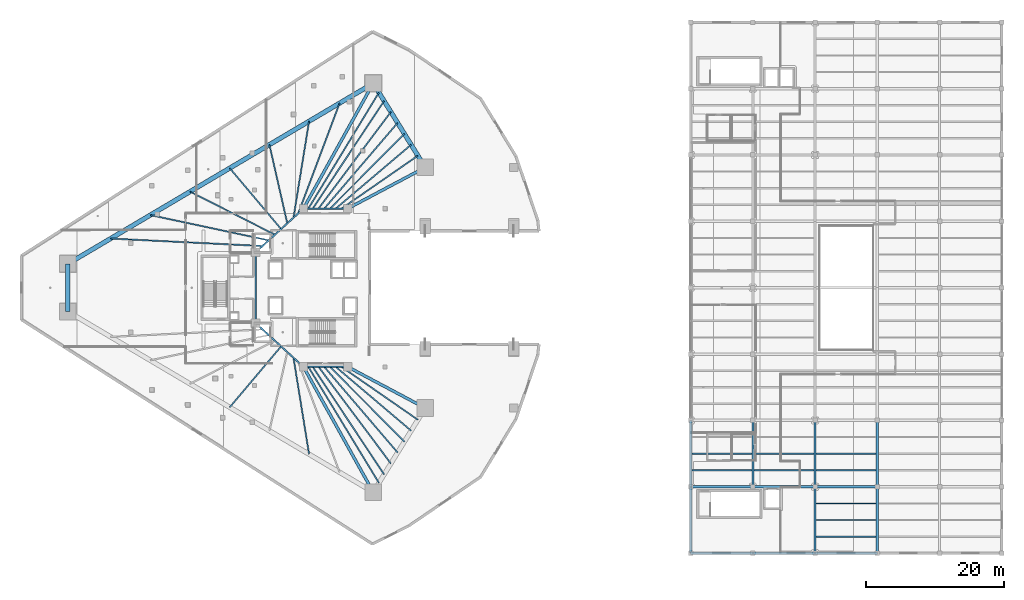
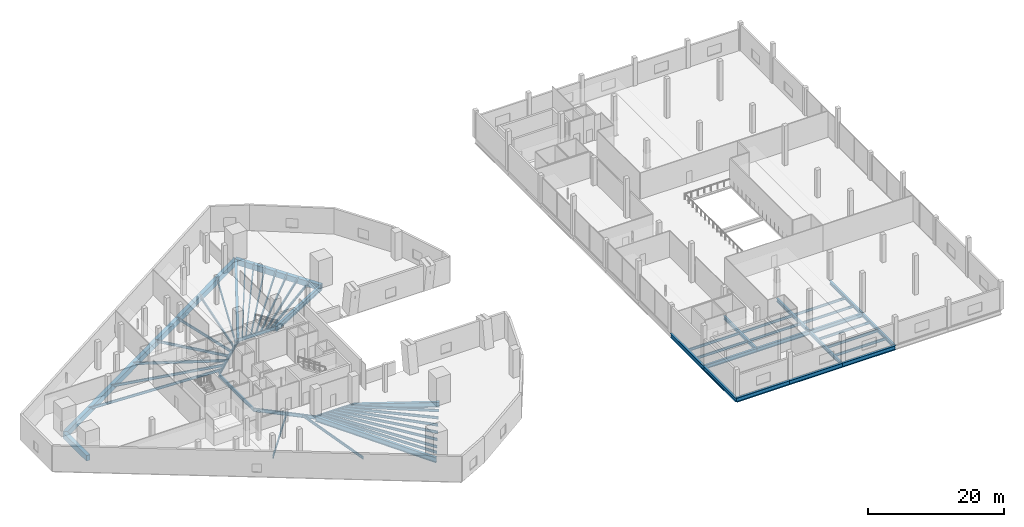
# One storey, part 2 of 43: 57 beams.
"""IFC4 building model written with IfcOpenShell, lengths in metres."""

from ifc_helpers import new_model, si_unit, direction, frame, origin, origin_2d, place, context, subcontext, project, spatial, rectangle, i_section, extrude, material, material_profile, profile_set, type_object, element, save


model = new_model("IFC4")

# Units and contexts
model_context = context("Model", 3, precision=1e-05, world=origin(), true_north=direction((0.0, 1.0)))
body_context = subcontext(model_context, "Body", "Model", "MODEL_VIEW")
ifc_project = project(units=[si_unit("LENGTHUNIT", "METRE"), si_unit("AREAUNIT", "SQUARE_METRE"), si_unit("VOLUMEUNIT", "CUBIC_METRE"), si_unit("PLANEANGLEUNIT", "RADIAN"), si_unit("MASSUNIT", "GRAM", prefix="KILO")], contexts=[model_context])

# Site, building, storey
site_placement = place(None, origin())
site = spatial("IfcSite", under=ifc_project, at=site_placement, CompositionType="ELEMENT")
building_placement = place(site_placement, origin())
building = spatial("IfcBuilding", under=site, at=building_placement, Name="Qorvath Tower", CompositionType="ELEMENT")
storey_placement = place(building_placement, frame((0.0, 0.0, 22.0)))
storey = spatial("IfcBuildingStorey", under=building, at=storey_placement, Name="L04", CompositionType="ELEMENT", Elevation=22.0)

# Beams
ifc_material_1 = material(Name="Steel ASTM A992 Grade 50", Category="steel")
ifc_material_profile_1 = material_profile(ifc_material_1, i_section(OverallWidth=0.422119140625, OverallDepth=0.93310546875, WebThickness=0.021240234375, FlangeThickness=0.039794921875, FilletRadius=0.02392578125, at=origin_2d()), Name="W36x262")
ifc_profile_set_1 = profile_set([ifc_material_profile_1], Name="Steel ASTM A992 Grade 50")
beam_type_1 = type_object("IfcBeamType", Name="BM-FG1", PredefinedType="BEAM", material=ifc_profile_set_1)
beam_1_placement = place(storey_placement, frame((-23.60009765625, 11.449951171875, -0.7265625), z_axis=(0.486174725137, 0.873861623278, 0.0), x_axis=(-0.873861623278, 0.486174725137, 0.0)))
element("IfcBeam", 1, at=beam_1_placement, inside=storey, type_object=beam_type_1, Name="Radial Floor Girder CC1-MC6 L04", PredefinedType="BEAM", context=body_context, shape_type="SweptSolid", body=[
    extrude(i_section(OverallWidth=0.422119140625, OverallDepth=0.93310546875, WebThickness=0.021240234375, FlangeThickness=0.039794921875, FilletRadius=0.02392578125, at=origin_2d()), origin(), (0.0, 0.0, 1.0), 20.7333984375),
])
for number, where, z_axis, x_axis, name in (
    (2, (-17.199951171875, 11.449951171875, -0.7265625), (0.883116467191, 0.469153818461, 0.0), (-0.469153818461, 0.883116467191, 0.0), "Radial Floor Girder CC2-MC5 L04"),
    (3, (-17.199951171875, -11.449951171875, -0.7265625), (0.883116467191, -0.469153818461, 0.0), (0.469153818461, 0.883116467191, 0.0), "Radial Floor Girder CC3-MC4 L04"),
):
    element("IfcBeam", number, at=place(storey_placement, frame(where, z_axis=z_axis, x_axis=x_axis)), inside=storey, type_object=beam_type_1, Name=name, PredefinedType="BEAM", context=body_context, shape_type="SweptSolid", body=[
        extrude(i_section(OverallWidth=0.422119140625, OverallDepth=0.93310546875, WebThickness=0.021240234375, FlangeThickness=0.039794921875, FilletRadius=0.02392578125, at=origin_2d()), origin(), (0.0, 0.0, 1.0), 12.682373046875),
    ])
beam_2_placement = place(storey_placement, frame((-23.60009765625, -11.449951171875, -0.7265625), z_axis=(0.486174725137, -0.873861623278, 0.0), x_axis=(0.873861623278, 0.486174725137, 0.0)))
element("IfcBeam", 4, at=beam_2_placement, inside=storey, type_object=beam_type_1, Name="Radial Floor Girder CC4-MC3 L04", PredefinedType="BEAM", context=body_context, shape_type="SweptSolid", body=[
    extrude(i_section(OverallWidth=0.422119140625, OverallDepth=0.93310546875, WebThickness=0.021240234375, FlangeThickness=0.039794921875, FilletRadius=0.02392578125, at=origin_2d()), origin(), (0.0, 0.0, 1.0), 20.7333984375),
])
ifc_material_2 = material(Name="Steel ASTM A992 Grade 50", Category="steel")
ifc_material_profile_2 = material_profile(ifc_material_2, i_section(OverallWidth=0.381103515625, OverallDepth=0.77294921875, WebThickness=0.0166015625, FlangeThickness=0.027099609375, FilletRadius=0.01904296875, at=origin_2d()), Name="W30x173")
ifc_profile_set_2 = profile_set([ifc_material_profile_2], Name="Steel ASTM A992 Grade 50")
beam_type_2 = type_object("IfcBeamType", Name="BM-FG3", PredefinedType="BEAM", material=ifc_profile_set_2)
for number, where, z_axis, x_axis, name in (
    (5, (32.39990234375, -38.39990234375, -0.646484375), (1.0, 0.0, 0.0), (0.0, 1.0, 0.0), "Library E-W Girder L04-1-1"),
    (6, (41.39990234375, -38.39990234375, -0.646484375), (1.0, 0.0, 0.0), (0.0, 1.0, 0.0), "Library E-W Girder L04-1-2"),
    (7, (50.39990234375, -38.39990234375, -0.646484375), (1.0, 0.0, 0.0), (0.0, 1.0, 0.0), "Library E-W Girder L04-1-3"),
):
    element("IfcBeam", number, at=place(storey_placement, frame(where, z_axis=z_axis, x_axis=x_axis)), inside=storey, type_object=beam_type_2, Name=name, PredefinedType="BEAM", context=body_context, shape_type="SweptSolid", body=[
        extrude(i_section(OverallWidth=0.381103515625, OverallDepth=0.77294921875, WebThickness=0.0166015625, FlangeThickness=0.027099609375, FilletRadius=0.01904296875, at=origin_2d()), origin(), (0.0, 0.0, 1.0), 9.0),
    ])
beam_3_placement = place(storey_placement, frame((32.39990234375, -38.39990234375, -0.646484375), z_axis=(0.0, 1.0, 0.0), x_axis=(-1.0, 0.0, 0.0)))
element("IfcBeam", 8, at=beam_3_placement, inside=storey, type_object=beam_type_2, Name="Library N-S Girder L04-1-1", PredefinedType="BEAM", context=body_context, shape_type="SweptSolid", body=[
    extrude(i_section(OverallWidth=0.381103515625, OverallDepth=0.77294921875, WebThickness=0.0166015625, FlangeThickness=0.027099609375, FilletRadius=0.01904296875, at=origin_2d()), origin(), (0.0, 0.0, 1.0), 9.599853515625),
])
beam_4_placement = place(storey_placement, frame((32.39990234375, -28.800048828125, -0.646484375), z_axis=(0.0, 1.0, 0.0), x_axis=(-1.0, 0.0, 0.0)))
element("IfcBeam", 9, at=beam_4_placement, inside=storey, type_object=beam_type_2, Name="Library N-S Girder L04-1-2", PredefinedType="BEAM", context=body_context, shape_type="SweptSolid", body=[
    extrude(i_section(OverallWidth=0.381103515625, OverallDepth=0.77294921875, WebThickness=0.0166015625, FlangeThickness=0.027099609375, FilletRadius=0.01904296875, at=origin_2d()), origin(), (0.0, 0.0, 1.0), 9.60009765625),
])
ifc_material_3 = material(Name="Steel ASTM A992 Grade 50", Category="steel")
ifc_material_profile_3 = material_profile(ifc_material_3, i_section(OverallWidth=0.35595703125, OverallDepth=0.696044921875, WebThickness=0.015380859375, FlangeThickness=0.02490234375, FilletRadius=0.01806640625, at=origin_2d()), Name="W27x146")
ifc_profile_set_3 = profile_set([ifc_material_profile_3], Name="Steel ASTM A992 Grade 50")
beam_type_3 = type_object("IfcBeamType", Name="BM-FG4", PredefinedType="BEAM", material=ifc_profile_set_3)
for number, where, z_axis, x_axis, name in (
    (10, (32.39990234375, -28.800048828125, -0.60791015625), (1.0, 0.0, 0.0), (0.0, 1.0, 0.0), "Library E-W Girder L04-2-1"),
    (11, (41.39990234375, -28.800048828125, -0.60791015625), (1.0, 0.0, 0.0), (0.0, 1.0, 0.0), "Library E-W Girder L04-2-2"),
    (12, (50.39990234375, -28.800048828125, -0.60791015625), (1.0, 0.0, 0.0), (0.0, 1.0, 0.0), "Library E-W Girder L04-2-3"),
):
    element("IfcBeam", number, at=place(storey_placement, frame(where, z_axis=z_axis, x_axis=x_axis)), inside=storey, type_object=beam_type_3, Name=name, PredefinedType="BEAM", context=body_context, shape_type="SweptSolid", body=[
        extrude(i_section(OverallWidth=0.35595703125, OverallDepth=0.696044921875, WebThickness=0.015380859375, FlangeThickness=0.02490234375, FilletRadius=0.01806640625, at=origin_2d()), origin(), (0.0, 0.0, 1.0), 9.0),
    ])
ifc_material_4 = material(Name="Steel ASTM A992 Grade 50", Category="steel")
ifc_material_profile_4 = material_profile(ifc_material_4, i_section(OverallWidth=0.324951171875, OverallDepth=0.615966796875, WebThickness=0.013916015625, FlangeThickness=0.021484375, FilletRadius=0.01611328125, at=origin_2d()), Name="W24x117")
ifc_profile_set_4 = profile_set([ifc_material_profile_4], Name="Steel ASTM A992 Grade 50")
beam_type_4 = type_object("IfcBeamType", Name="BM-FG5", PredefinedType="BEAM", material=ifc_profile_set_4)
beam_5_placement = place(storey_placement, frame((41.39990234375, -28.800048828125, -0.568115234375), z_axis=(0.0, 1.0, 0.0), x_axis=(-1.0, 0.0, 0.0)))
element("IfcBeam", 13, at=beam_5_placement, inside=storey, type_object=beam_type_4, Name="Library N-S Girder L04-2-2", PredefinedType="BEAM", context=body_context, shape_type="SweptSolid", body=[
    extrude(i_section(OverallWidth=0.324951171875, OverallDepth=0.615966796875, WebThickness=0.013916015625, FlangeThickness=0.021484375, FilletRadius=0.01611328125, at=origin_2d()), origin(), (0.0, 0.0, 1.0), 9.60009765625),
])
beam_6_placement = place(storey_placement, frame((50.39990234375, -38.39990234375, -0.568115234375), z_axis=(0.0, 1.0, 0.0), x_axis=(-1.0, 0.0, 0.0)))
element("IfcBeam", 14, at=beam_6_placement, inside=storey, type_object=beam_type_4, Name="Library N-S Girder L04-3-1", PredefinedType="BEAM", context=body_context, shape_type="SweptSolid", body=[
    extrude(i_section(OverallWidth=0.324951171875, OverallDepth=0.615966796875, WebThickness=0.013916015625, FlangeThickness=0.021484375, FilletRadius=0.01611328125, at=origin_2d()), origin(), (0.0, 0.0, 1.0), 9.599853515625),
])
beam_7_placement = place(storey_placement, frame((50.39990234375, -28.800048828125, -0.568115234375), z_axis=(0.0, 1.0, 0.0), x_axis=(-1.0, 0.0, 0.0)))
element("IfcBeam", 15, at=beam_7_placement, inside=storey, type_object=beam_type_4, Name="Library N-S Girder L04-3-2", PredefinedType="BEAM", context=body_context, shape_type="SweptSolid", body=[
    extrude(i_section(OverallWidth=0.324951171875, OverallDepth=0.615966796875, WebThickness=0.013916015625, FlangeThickness=0.021484375, FilletRadius=0.01611328125, at=origin_2d()), origin(), (0.0, 0.0, 1.0), 9.60009765625),
])
beam_8_placement = place(storey_placement, frame((59.39990234375, -38.39990234375, -0.568115234375), z_axis=(0.0, 1.0, 0.0), x_axis=(-1.0, 0.0, 0.0)))
element("IfcBeam", 16, at=beam_8_placement, inside=storey, type_object=beam_type_4, Name="Library N-S Girder L04-4-1", PredefinedType="BEAM", context=body_context, shape_type="SweptSolid", body=[
    extrude(i_section(OverallWidth=0.324951171875, OverallDepth=0.615966796875, WebThickness=0.013916015625, FlangeThickness=0.021484375, FilletRadius=0.01611328125, at=origin_2d()), origin(), (0.0, 0.0, 1.0), 9.599853515625),
])
beam_9_placement = place(storey_placement, frame((59.39990234375, -28.800048828125, -0.568115234375), z_axis=(0.0, 1.0, 0.0), x_axis=(-1.0, 0.0, 0.0)))
element("IfcBeam", 17, at=beam_9_placement, inside=storey, type_object=beam_type_4, Name="Library N-S Girder L04-4-2", PredefinedType="BEAM", context=body_context, shape_type="SweptSolid", body=[
    extrude(i_section(OverallWidth=0.324951171875, OverallDepth=0.615966796875, WebThickness=0.013916015625, FlangeThickness=0.021484375, FilletRadius=0.01611328125, at=origin_2d()), origin(), (0.0, 0.0, 1.0), 9.60009765625),
])
ifc_material_5 = material(Name="Steel ASTM A992 Grade 50", Category="steel")
ifc_material_profile_5 = material_profile(ifc_material_5, i_section(OverallWidth=0.22998046875, OverallDepth=0.616943359375, WebThickness=0.01318359375, FlangeThickness=0.022216796875, FilletRadius=0.014892578125, at=origin_2d()), Name="W24x94")
ifc_profile_set_5 = profile_set([ifc_material_profile_5], Name="Steel ASTM A992 Grade 50")
beam_type_5 = type_object("IfcBeamType", Name="BM-FG6", PredefinedType="BEAM", material=ifc_profile_set_5)
for number, where, z_axis, x_axis, name in (
    (18, (-23.60009765625, 11.449951171875, -0.568603515625), (1.0, 0.0, 0.0), (0.0, 1.0, 0.0), "Core Ring Girder CC1-CC2 L04"),
    (19, (-17.199951171875, -11.449951171875, -0.568603515625), (-1.0, 0.0, 0.0), (0.0, -1.0, 0.0), "Core Ring Girder CC3-CC4 L04"),
):
    element("IfcBeam", number, at=place(storey_placement, frame(where, z_axis=z_axis, x_axis=x_axis)), inside=storey, type_object=beam_type_5, Name=name, PredefinedType="BEAM", context=body_context, shape_type="SweptSolid", body=[
        extrude(i_section(OverallWidth=0.22998046875, OverallDepth=0.616943359375, WebThickness=0.01318359375, FlangeThickness=0.022216796875, FilletRadius=0.014892578125, at=origin_2d()), origin(), (0.0, 0.0, 1.0), 6.400146484375),
    ])
beam_10_placement = place(storey_placement, frame((-23.60009765625, -11.449951171875, -0.568603515625), z_axis=(-0.73847813985, 0.6742774184, 0.0), x_axis=(-0.6742774184, -0.73847813985, 0.0)))
element("IfcBeam", 20, at=beam_10_placement, inside=storey, type_object=beam_type_5, Name="Core Ring Girder CC4-CC6 L04", PredefinedType="BEAM", context=body_context, shape_type="SweptSolid", body=[
    extrude(i_section(OverallWidth=0.22998046875, OverallDepth=0.616943359375, WebThickness=0.01318359375, FlangeThickness=0.022216796875, FilletRadius=0.014892578125, at=origin_2d()), origin(), (0.0, 0.0, 1.0), 9.343505859375),
])
beam_11_placement = place(storey_placement, frame((-30.5, -5.14990234375, -0.568603515625), z_axis=(0.0, 1.0, 0.0), x_axis=(-1.0, 0.0, 0.0)))
element("IfcBeam", 21, at=beam_11_placement, inside=storey, type_object=beam_type_5, Name="Core Ring Girder CC6-CC5 L04", PredefinedType="BEAM", context=body_context, shape_type="SweptSolid", body=[
    extrude(i_section(OverallWidth=0.22998046875, OverallDepth=0.616943359375, WebThickness=0.01318359375, FlangeThickness=0.022216796875, FilletRadius=0.014892578125, at=origin_2d()), origin(), (0.0, 0.0, 1.0), 10.2998046875),
])
beam_12_placement = place(storey_placement, frame((-30.5, 5.14990234375, -0.568603515625), z_axis=(0.73847813985, 0.6742774184, 0.0), x_axis=(-0.6742774184, 0.73847813985, 0.0)))
element("IfcBeam", 22, at=beam_12_placement, inside=storey, type_object=beam_type_5, Name="Core Ring Girder CC5-CC1 L04", PredefinedType="BEAM", context=body_context, shape_type="SweptSolid", body=[
    extrude(i_section(OverallWidth=0.22998046875, OverallDepth=0.616943359375, WebThickness=0.01318359375, FlangeThickness=0.022216796875, FilletRadius=0.014892578125, at=origin_2d()), origin(), (0.0, 0.0, 1.0), 9.343505859375),
])
ifc_material_6 = material(Name="Steel ASTM A992 Grade 50", Category="steel")
ifc_material_profile_6 = material_profile(ifc_material_6, i_section(OverallWidth=0.18994140625, OverallDepth=0.45703125, WebThickness=0.009033203125, FlangeThickness=0.014404296875, FilletRadius=0.011962890625, at=origin_2d()), Name="W18x50")
ifc_profile_set_6 = profile_set([ifc_material_profile_6], Name="Steel ASTM A992 Grade 50")
beam_type_6 = type_object("IfcBeamType", Name="BM-FJ2", PredefinedType="JOIST", material=ifc_profile_set_6)
beam_13_placement = place(storey_placement, frame((-18.095947265625, 11.449951171875, -0.488525390625), z_axis=(0.821904266501, 0.569625646111, 0.0), x_axis=(-0.569625646111, 0.821904266501, 0.0)))
element("IfcBeam", 23, at=beam_13_placement, inside=storey, type_object=beam_type_6, Name="Composite Floor Joist NE1 L04", PredefinedType="JOIST", context=body_context, shape_type="SweptSolid", body=[
    extrude(i_section(OverallWidth=0.18994140625, OverallDepth=0.45703125, WebThickness=0.009033203125, FlangeThickness=0.014404296875, FilletRadius=0.011962890625, at=origin_2d()), origin(), (0.0, 0.0, 1.0), 13.43603515625),
])
beam_14_placement = place(storey_placement, frame((-18.927978515625, 11.449951171875, -0.488525390625), z_axis=(0.762888170757, 0.646530462483, 0.0), x_axis=(-0.646530462483, 0.762888170757, 0.0)))
element("IfcBeam", 24, at=beam_14_placement, inside=storey, type_object=beam_type_6, Name="Composite Floor Joist NE2 L04", PredefinedType="JOIST", context=body_context, shape_type="SweptSolid", body=[
    extrude(i_section(OverallWidth=0.18994140625, OverallDepth=0.45703125, WebThickness=0.009033203125, FlangeThickness=0.014404296875, FilletRadius=0.011962890625, at=origin_2d()), origin(), (0.0, 0.0, 1.0), 14.284423828125),
])
beam_15_placement = place(storey_placement, frame((-19.760009765625, 11.449951171875, -0.488525390625), z_axis=(0.704966562097, 0.709240541935, 0.0), x_axis=(-0.709240541935, 0.704966562097, 0.0)))
element("IfcBeam", 25, at=beam_15_placement, inside=storey, type_object=beam_type_6, Name="Composite Floor Joist NE3 L04", PredefinedType="JOIST", context=body_context, shape_type="SweptSolid", body=[
    extrude(i_section(OverallWidth=0.18994140625, OverallDepth=0.45703125, WebThickness=0.009033203125, FlangeThickness=0.014404296875, FilletRadius=0.011962890625, at=origin_2d()), origin(), (0.0, 0.0, 1.0), 15.251708984375),
])
beam_16_placement = place(storey_placement, frame((-20.592041015625, 11.449951171875, -0.488525390625), z_axis=(0.650034471724, 0.759904721376, 0.0), x_axis=(-0.759904721376, 0.650034471724, 0.0)))
element("IfcBeam", 26, at=beam_16_placement, inside=storey, type_object=beam_type_6, Name="Composite Floor Joist NE4 L04", PredefinedType="JOIST", context=body_context, shape_type="SweptSolid", body=[
    extrude(i_section(OverallWidth=0.18994140625, OverallDepth=0.45703125, WebThickness=0.009033203125, FlangeThickness=0.014404296875, FilletRadius=0.011962890625, at=origin_2d()), origin(), (0.0, 0.0, 1.0), 16.316650390625),
])
beam_17_placement = place(storey_placement, frame((-21.424072265625, 11.449951171875, -0.488525390625), z_axis=(0.599091356813, 0.800680676794, 0.0), x_axis=(-0.800680676794, 0.599091356813, 0.0)))
element("IfcBeam", 27, at=beam_17_placement, inside=storey, type_object=beam_type_6, Name="Composite Floor Joist NE5 L04", PredefinedType="JOIST", context=body_context, shape_type="SweptSolid", body=[
    extrude(i_section(OverallWidth=0.18994140625, OverallDepth=0.45703125, WebThickness=0.009033203125, FlangeThickness=0.014404296875, FilletRadius=0.011962890625, at=origin_2d()), origin(), (0.0, 0.0, 1.0), 17.46142578125),
])
beam_18_placement = place(storey_placement, frame((-22.256103515625, 11.449951171875, -0.488525390625), z_axis=(0.552474288131, 0.833529940047, 0.0), x_axis=(-0.833529940047, 0.552474288131, 0.0)))
element("IfcBeam", 28, at=beam_18_placement, inside=storey, type_object=beam_type_6, Name="Composite Floor Joist NE6 L04", PredefinedType="JOIST", context=body_context, shape_type="SweptSolid", body=[
    extrude(i_section(OverallWidth=0.18994140625, OverallDepth=0.45703125, WebThickness=0.009033203125, FlangeThickness=0.014404296875, FilletRadius=0.011962890625, at=origin_2d()), origin(), (0.0, 0.0, 1.0), 18.6708984375),
])
beam_19_placement = place(storey_placement, frame((-22.89599609375, 11.449951171875, -0.488525390625), z_axis=(0.519556443318, 0.854436131145, 0.0), x_axis=(-0.854436131145, 0.519556443318, 0.0)))
element("IfcBeam", 29, at=beam_19_placement, inside=storey, type_object=beam_type_6, Name="Composite Floor Joist NE7 L04", PredefinedType="JOIST", context=body_context, shape_type="SweptSolid", body=[
    extrude(i_section(OverallWidth=0.18994140625, OverallDepth=0.45703125, WebThickness=0.009033203125, FlangeThickness=0.014404296875, FilletRadius=0.011962890625, at=origin_2d()), origin(), (0.0, 0.0, 1.0), 19.63818359375),
])
beam_20_placement = place(storey_placement, frame((-18.095947265625, -11.449951171875, -0.488525390625), z_axis=(0.821904266501, -0.569625646111, 0.0), x_axis=(0.569625646111, 0.821904266501, 0.0)))
element("IfcBeam", 30, at=beam_20_placement, inside=storey, type_object=beam_type_6, Name="Composite Floor Joist SE1 L04", PredefinedType="JOIST", context=body_context, shape_type="SweptSolid", body=[
    extrude(i_section(OverallWidth=0.18994140625, OverallDepth=0.45703125, WebThickness=0.009033203125, FlangeThickness=0.014404296875, FilletRadius=0.011962890625, at=origin_2d()), origin(), (0.0, 0.0, 1.0), 13.43603515625),
])
beam_21_placement = place(storey_placement, frame((-18.927978515625, -11.449951171875, -0.488525390625), z_axis=(0.762888170757, -0.646530462483, 0.0), x_axis=(0.646530462483, 0.762888170757, 0.0)))
element("IfcBeam", 31, at=beam_21_placement, inside=storey, type_object=beam_type_6, Name="Composite Floor Joist SE2 L04", PredefinedType="JOIST", context=body_context, shape_type="SweptSolid", body=[
    extrude(i_section(OverallWidth=0.18994140625, OverallDepth=0.45703125, WebThickness=0.009033203125, FlangeThickness=0.014404296875, FilletRadius=0.011962890625, at=origin_2d()), origin(), (0.0, 0.0, 1.0), 14.284423828125),
])
beam_22_placement = place(storey_placement, frame((-19.760009765625, -11.449951171875, -0.488525390625), z_axis=(0.704966562097, -0.709240541935, 0.0), x_axis=(0.709240541935, 0.704966562097, 0.0)))
element("IfcBeam", 32, at=beam_22_placement, inside=storey, type_object=beam_type_6, Name="Composite Floor Joist SE3 L04", PredefinedType="JOIST", context=body_context, shape_type="SweptSolid", body=[
    extrude(i_section(OverallWidth=0.18994140625, OverallDepth=0.45703125, WebThickness=0.009033203125, FlangeThickness=0.014404296875, FilletRadius=0.011962890625, at=origin_2d()), origin(), (0.0, 0.0, 1.0), 15.251708984375),
])
beam_23_placement = place(storey_placement, frame((-20.592041015625, -11.449951171875, -0.488525390625), z_axis=(0.650034471724, -0.759904721376, 0.0), x_axis=(0.759904721376, 0.650034471724, 0.0)))
element("IfcBeam", 33, at=beam_23_placement, inside=storey, type_object=beam_type_6, Name="Composite Floor Joist SE4 L04", PredefinedType="JOIST", context=body_context, shape_type="SweptSolid", body=[
    extrude(i_section(OverallWidth=0.18994140625, OverallDepth=0.45703125, WebThickness=0.009033203125, FlangeThickness=0.014404296875, FilletRadius=0.011962890625, at=origin_2d()), origin(), (0.0, 0.0, 1.0), 16.316650390625),
])
beam_24_placement = place(storey_placement, frame((-21.424072265625, -11.449951171875, -0.488525390625), z_axis=(0.599091356813, -0.800680676794, 0.0), x_axis=(0.800680676794, 0.599091356813, 0.0)))
element("IfcBeam", 34, at=beam_24_placement, inside=storey, type_object=beam_type_6, Name="Composite Floor Joist SE5 L04", PredefinedType="JOIST", context=body_context, shape_type="SweptSolid", body=[
    extrude(i_section(OverallWidth=0.18994140625, OverallDepth=0.45703125, WebThickness=0.009033203125, FlangeThickness=0.014404296875, FilletRadius=0.011962890625, at=origin_2d()), origin(), (0.0, 0.0, 1.0), 17.46142578125),
])
beam_25_placement = place(storey_placement, frame((-22.256103515625, -11.449951171875, -0.488525390625), z_axis=(0.552474288131, -0.833529940047, 0.0), x_axis=(0.833529940047, 0.552474288131, 0.0)))
element("IfcBeam", 35, at=beam_25_placement, inside=storey, type_object=beam_type_6, Name="Composite Floor Joist SE6 L04", PredefinedType="JOIST", context=body_context, shape_type="SweptSolid", body=[
    extrude(i_section(OverallWidth=0.18994140625, OverallDepth=0.45703125, WebThickness=0.009033203125, FlangeThickness=0.014404296875, FilletRadius=0.011962890625, at=origin_2d()), origin(), (0.0, 0.0, 1.0), 18.6708984375),
])
beam_26_placement = place(storey_placement, frame((-22.89599609375, -11.449951171875, -0.488525390625), z_axis=(0.519556443318, -0.854436131145, 0.0), x_axis=(0.854436131145, 0.519556443318, 0.0)))
element("IfcBeam", 36, at=beam_26_placement, inside=storey, type_object=beam_type_6, Name="Composite Floor Joist SE7 L04", PredefinedType="JOIST", context=body_context, shape_type="SweptSolid", body=[
    extrude(i_section(OverallWidth=0.18994140625, OverallDepth=0.45703125, WebThickness=0.009033203125, FlangeThickness=0.014404296875, FilletRadius=0.011962890625, at=origin_2d()), origin(), (0.0, 0.0, 1.0), 19.63818359375),
])
beam_27_placement = place(storey_placement, frame((-29.533935546875, 6.031982421875, -0.488525390625), z_axis=(-0.998794149334, 0.04909426907, 0.0), x_axis=(-0.04909426907, -0.998794149334, 0.0)))
element("IfcBeam", 37, at=beam_27_placement, inside=storey, type_object=beam_type_6, Name="Composite Floor Joist NW1 L04", PredefinedType="JOIST", context=body_context, shape_type="SweptSolid", body=[
    extrude(i_section(OverallWidth=0.18994140625, OverallDepth=0.45703125, WebThickness=0.009033203125, FlangeThickness=0.014404296875, FilletRadius=0.011962890625, at=origin_2d()), origin(), (0.0, 0.0, 1.0), 21.990234375),
])
beam_28_placement = place(storey_placement, frame((-28.636962890625, 6.85107421875, -0.488525390625), z_axis=(-0.977957459776, 0.208804230962, 0.0), x_axis=(-0.208804230962, -0.977957459776, 0.0)))
element("IfcBeam", 38, at=beam_28_placement, inside=storey, type_object=beam_type_6, Name="Composite Floor Joist NW2 L04", PredefinedType="JOIST", context=body_context, shape_type="SweptSolid", body=[
    extrude(i_section(OverallWidth=0.18994140625, OverallDepth=0.45703125, WebThickness=0.009033203125, FlangeThickness=0.014404296875, FilletRadius=0.011962890625, at=origin_2d()), origin(), (0.0, 0.0, 1.0), 17.505859375),
])
beam_29_placement = place(storey_placement, frame((-27.739990234375, 7.669921875, -0.488525390625), z_axis=(-0.891711806986, 0.452603638166, 0.0), x_axis=(-0.452603638166, -0.891711806986, 0.0)))
element("IfcBeam", 39, at=beam_29_placement, inside=storey, type_object=beam_type_6, Name="Composite Floor Joist NW3 L04", PredefinedType="JOIST", context=body_context, shape_type="SweptSolid", body=[
    extrude(i_section(OverallWidth=0.18994140625, OverallDepth=0.45703125, WebThickness=0.009033203125, FlangeThickness=0.014404296875, FilletRadius=0.011962890625, at=origin_2d()), origin(), (0.0, 0.0, 1.0), 13.766845703125),
])
beam_30_placement = place(storey_placement, frame((-26.843017578125, 8.489013671875, -0.488525390625), z_axis=(-0.644958726494, 0.764217404355, 0.0), x_axis=(-0.764217404355, -0.644958726494, 0.0)))
element("IfcBeam", 40, at=beam_30_placement, inside=storey, type_object=beam_type_6, Name="Composite Floor Joist NW4 L04", PredefinedType="JOIST", context=body_context, shape_type="SweptSolid", body=[
    extrude(i_section(OverallWidth=0.18994140625, OverallDepth=0.45703125, WebThickness=0.009033203125, FlangeThickness=0.014404296875, FilletRadius=0.011962890625, at=origin_2d()), origin(), (0.0, 0.0, 1.0), 11.5234375),
])
beam_31_placement = place(storey_placement, frame((-25.946044921875, 9.30810546875, -0.488525390625), z_axis=(-0.221751282053, 0.975103260639, 0.0), x_axis=(-0.975103260639, -0.221751282053, 0.0)))
element("IfcBeam", 41, at=beam_31_placement, inside=storey, type_object=beam_type_6, Name="Composite Floor Joist NW5 L04", PredefinedType="JOIST", context=body_context, shape_type="SweptSolid", body=[
    extrude(i_section(OverallWidth=0.18994140625, OverallDepth=0.45703125, WebThickness=0.009033203125, FlangeThickness=0.014404296875, FilletRadius=0.011962890625, at=origin_2d()), origin(), (0.0, 0.0, 1.0), 11.67236328125),
])
beam_32_placement = place(storey_placement, frame((-25.049072265625, 10.126953125, -0.488525390625), z_axis=(0.159519083064, 0.987194845073, 0.0), x_axis=(-0.987194845073, 0.159519083064, 0.0)))
element("IfcBeam", 42, at=beam_32_placement, inside=storey, type_object=beam_type_6, Name="Composite Floor Joist NW6 L04", PredefinedType="JOIST", context=body_context, shape_type="SweptSolid", body=[
    extrude(i_section(OverallWidth=0.18994140625, OverallDepth=0.45703125, WebThickness=0.009033203125, FlangeThickness=0.014404296875, FilletRadius=0.011962890625, at=origin_2d()), origin(), (0.0, 0.0, 1.0), 14.138671875),
])
beam_33_placement = place(storey_placement, frame((-24.35888671875, 10.757080078125, -0.488525390625), z_axis=(0.351338742889, 0.936248411344, 0.0), x_axis=(-0.936248411344, 0.351338742889, 0.0)))
element("IfcBeam", 43, at=beam_33_placement, inside=storey, type_object=beam_type_6, Name="Composite Floor Joist NW7 L04", PredefinedType="JOIST", context=body_context, shape_type="SweptSolid", body=[
    extrude(i_section(OverallWidth=0.18994140625, OverallDepth=0.45703125, WebThickness=0.009033203125, FlangeThickness=0.014404296875, FilletRadius=0.011962890625, at=origin_2d()), origin(), (0.0, 0.0, 1.0), 17.02392578125),
])
beam_34_placement = place(storey_placement, frame((-26.843017578125, -8.489013671875, -0.488525390625), z_axis=(-0.644958726494, -0.764217404355, 0.0), x_axis=(0.764217404355, -0.644958726494, 0.0)))
element("IfcBeam", 44, at=beam_34_placement, inside=storey, type_object=beam_type_6, Name="Composite Floor Joist SW4 L04", PredefinedType="JOIST", context=body_context, shape_type="SweptSolid", body=[
    extrude(i_section(OverallWidth=0.18994140625, OverallDepth=0.45703125, WebThickness=0.009033203125, FlangeThickness=0.014404296875, FilletRadius=0.011962890625, at=origin_2d()), origin(), (0.0, 0.0, 1.0), 11.5234375),
])
beam_35_placement = place(storey_placement, frame((-25.049072265625, -10.126953125, -0.488525390625), z_axis=(0.159519083064, -0.987194845073, 0.0), x_axis=(0.987194845073, 0.159519083064, 0.0)))
element("IfcBeam", 45, at=beam_35_placement, inside=storey, type_object=beam_type_6, Name="Composite Floor Joist SW6 L04", PredefinedType="JOIST", context=body_context, shape_type="SweptSolid", body=[
    extrude(i_section(OverallWidth=0.18994140625, OverallDepth=0.45703125, WebThickness=0.009033203125, FlangeThickness=0.014404296875, FilletRadius=0.011962890625, at=origin_2d()), origin(), (0.0, 0.0, 1.0), 14.138671875),
])
for number, where, z_axis, x_axis, name in (
    (46, (50.560546875, -36.0, -0.488525390625), (1.0, 0.0, 0.0), (0.0, 1.0, 0.0), "Library Stack Joist L04-1.1-3"),
    (47, (50.560546875, -33.60009765625, -0.488525390625), (1.0, 0.0, 0.0), (0.0, 1.0, 0.0), "Library Stack Joist L04-1.2-3"),
    (48, (50.560546875, -31.199951171875, -0.488525390625), (1.0, 0.0, 0.0), (0.0, 1.0, 0.0), "Library Stack Joist L04-1.3-3"),
):
    element("IfcBeam", number, at=place(storey_placement, frame(where, z_axis=z_axis, x_axis=x_axis)), inside=storey, type_object=beam_type_6, Name=name, PredefinedType="JOIST", context=body_context, shape_type="SweptSolid", body=[
        extrude(i_section(OverallWidth=0.18994140625, OverallDepth=0.45703125, WebThickness=0.009033203125, FlangeThickness=0.014404296875, FilletRadius=0.011962890625, at=origin_2d()), origin(), (0.0, 0.0, 1.0), 8.678955078125),
    ])
beam_36_placement = place(storey_placement, frame((32.58837890625, -26.39990234375, -0.488525390625), z_axis=(1.0, 0.0, 0.0), x_axis=(0.0, 1.0, 0.0)))
element("IfcBeam", 49, at=beam_36_placement, inside=storey, type_object=beam_type_6, Name="Library Stack Joist L04-2.1-1", PredefinedType="JOIST", context=body_context, shape_type="SweptSolid", body=[
    extrude(i_section(OverallWidth=0.18994140625, OverallDepth=0.45703125, WebThickness=0.009033203125, FlangeThickness=0.014404296875, FilletRadius=0.011962890625, at=origin_2d()), origin(), (0.0, 0.0, 1.0), 8.651123046875),
])
for number, where, z_axis, x_axis, name in (
    (50, (41.560546875, -26.39990234375, -0.488525390625), (1.0, 0.0, 0.0), (0.0, 1.0, 0.0), "Library Stack Joist L04-2.1-2"),
    (51, (50.560546875, -26.39990234375, -0.488525390625), (1.0, 0.0, 0.0), (0.0, 1.0, 0.0), "Library Stack Joist L04-2.1-3"),
):
    element("IfcBeam", number, at=place(storey_placement, frame(where, z_axis=z_axis, x_axis=x_axis)), inside=storey, type_object=beam_type_6, Name=name, PredefinedType="JOIST", context=body_context, shape_type="SweptSolid", body=[
        extrude(i_section(OverallWidth=0.18994140625, OverallDepth=0.45703125, WebThickness=0.009033203125, FlangeThickness=0.014404296875, FilletRadius=0.011962890625, at=origin_2d()), origin(), (0.0, 0.0, 1.0), 8.678955078125),
    ])
beam_37_placement = place(storey_placement, frame((32.58837890625, -24.0, -0.488525390625), z_axis=(1.0, 0.0, 0.0), x_axis=(0.0, 1.0, 0.0)))
element("IfcBeam", 52, at=beam_37_placement, inside=storey, type_object=beam_type_6, Name="Library Stack Joist L04-2.2-1", PredefinedType="JOIST", context=body_context, shape_type="SweptSolid", body=[
    extrude(i_section(OverallWidth=0.18994140625, OverallDepth=0.45703125, WebThickness=0.009033203125, FlangeThickness=0.014404296875, FilletRadius=0.011962890625, at=origin_2d()), origin(), (0.0, 0.0, 1.0), 8.651123046875),
])
for number, where, z_axis, x_axis, name in (
    (53, (41.560546875, -24.0, -0.488525390625), (1.0, 0.0, 0.0), (0.0, 1.0, 0.0), "Library Stack Joist L04-2.2-2"),
    (54, (50.560546875, -24.0, -0.488525390625), (1.0, 0.0, 0.0), (0.0, 1.0, 0.0), "Library Stack Joist L04-2.2-3"),
):
    element("IfcBeam", number, at=place(storey_placement, frame(where, z_axis=z_axis, x_axis=x_axis)), inside=storey, type_object=beam_type_6, Name=name, PredefinedType="JOIST", context=body_context, shape_type="SweptSolid", body=[
        extrude(i_section(OverallWidth=0.18994140625, OverallDepth=0.45703125, WebThickness=0.009033203125, FlangeThickness=0.014404296875, FilletRadius=0.011962890625, at=origin_2d()), origin(), (0.0, 0.0, 1.0), 8.678955078125),
    ])
ifc_material_7 = material(Name="Concrete C50/60", Category="concrete")
ifc_material_profile_7 = material_profile(ifc_material_7, rectangle(XDim=0.64990234375, YDim=1.0, at=origin_2d()), Name="RCB 1000x650")
ifc_profile_set_7 = profile_set([ifc_material_profile_7], Name="Concrete C50/60")
beam_type_7 = type_object("IfcBeamType", Name="BM-RCB1", PredefinedType="SPANDREL", material=ifc_profile_set_7)
beam_38_placement = place(storey_placement, frame((-57.679931640625, 3.4560546875, -0.760009765625), z_axis=(0.0, -1.0, 0.0), x_axis=(1.0, 0.0, 0.0)))
element("IfcBeam", 55, at=beam_38_placement, inside=storey, type_object=beam_type_7, Name="Perimeter Loggia Frame Beam MC1-MC2 L04", PredefinedType="SPANDREL", context=body_context, shape_type="SweptSolid", body=[
    extrude(rectangle(XDim=0.64990234375, YDim=1.0, at=origin_2d()), origin(), (0.0, 0.0, 1.0), 6.912109375),
])
beam_39_placement = place(storey_placement, frame((-6.0, 17.39990234375, -0.760009765625), z_axis=(-0.525713426157, 0.850661738624, 0.0), x_axis=(-0.850661738624, -0.525713426157, 0.0)))
element("IfcBeam", 56, at=beam_39_placement, inside=storey, type_object=beam_type_7, Name="Perimeter Loggia Frame Beam MC5-MC6 L04", PredefinedType="SPANDREL", context=body_context, shape_type="SweptSolid", body=[
    extrude(rectangle(XDim=0.64990234375, YDim=1.0, at=origin_2d()), origin(), (0.0, 0.0, 1.0), 14.304443359375),
])
beam_40_placement = place(storey_placement, frame((-13.52001953125, 29.568115234375, -0.760009765625), z_axis=(-0.860776517711, -0.50898309064, 0.0), x_axis=(0.50898309064, -0.860776517711, 0.0)))
element("IfcBeam", 57, at=beam_40_placement, inside=storey, type_object=beam_type_7, Name="Perimeter Loggia Frame Beam MC6-MC1 L04", PredefinedType="SPANDREL", context=body_context, shape_type="SweptSolid", body=[
    extrude(rectangle(XDim=0.64990234375, YDim=1.0, at=origin_2d()), origin(), (0.0, 0.0, 1.0), 51.302490234375),
])

save(model, "model.ifc")
